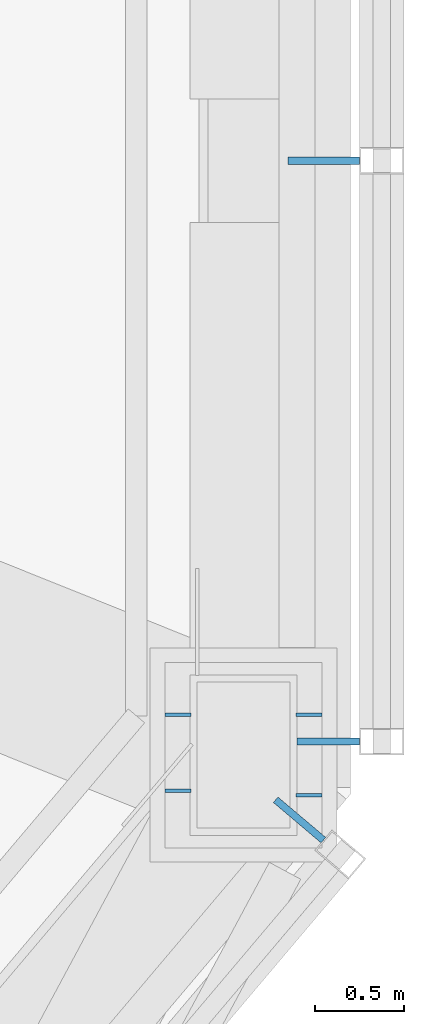
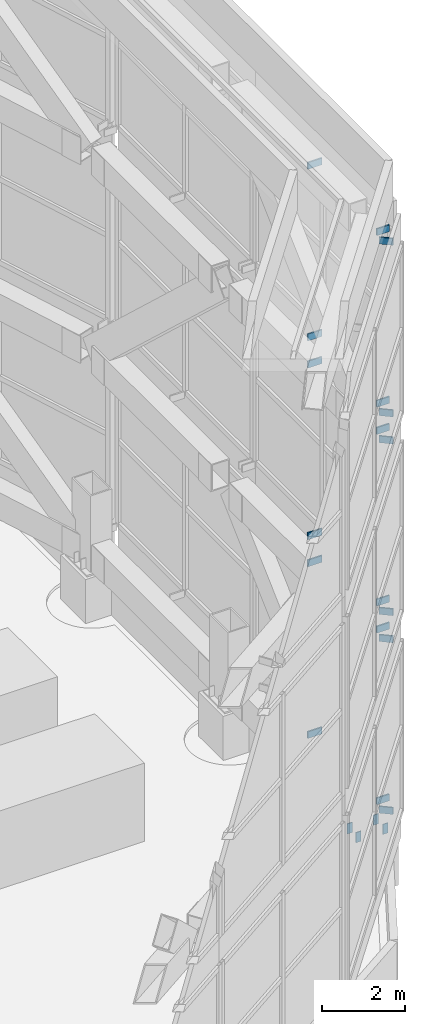
# One storey, part 36 of 46: 22 discrete accessories.
"""IFC4 building model written with IfcOpenShell, lengths in metres."""

from ifc_helpers import new_model, si_unit, direction, frame, origin, origin_2d, place, context, subcontext, project, spatial, rectangle, extrude, material, layer, layer_set, type_object, element, save


model = new_model("IFC4")

# Units and contexts
model_context = context("Model", 3, precision=1e-05, world=origin(), true_north=direction((0.0, 1.0)))
body_context = subcontext(model_context, "Body", "Model", "MODEL_VIEW")
ifc_project = project(units=[si_unit("LENGTHUNIT", "METRE"), si_unit("AREAUNIT", "SQUARE_METRE"), si_unit("VOLUMEUNIT", "CUBIC_METRE"), si_unit("PLANEANGLEUNIT", "RADIAN"), si_unit("MASSUNIT", "GRAM", prefix="KILO")], contexts=[model_context])

# Site, building, storey
site_placement = place(None, origin())
site = spatial("IfcSite", under=ifc_project, at=site_placement, CompositionType="ELEMENT")
building_placement = place(site_placement, origin())
building = spatial("IfcBuilding", under=site, at=building_placement, Name="Vanh Sen Convention Tower", CompositionType="ELEMENT")
storey_placement = place(building_placement, frame((0.0, 0.0, 305.0)))
storey = spatial("IfcBuildingStorey", under=building, at=storey_placement, Name="Roof level", CompositionType="ELEMENT", Elevation=305.0)

# Discrete accessories
ifc_material_1 = material(Name="Steel S355", Category="steel")
ifc_layer = layer(ifc_material_1, 0.02001953125)
ifc_layer_set = layer_set([ifc_layer], Name="Steel S355")
discrete_accessory_type_1 = type_object("IfcDiscreteAccessoryType", Name="Crown base plate stiffener 140 x 300 x 20", PredefinedType="USERDEFINED", material=ifc_layer_set)
for number, where, z_axis, x_axis, name in (
    (1, (18.4326171875, -7.32177734375, 1.34521484375), (0.0, 0.0, 1.0), (-1.0, 0.0, 0.0), "STIFFENER crown column 01 rib 1"),
    (2, (18.4326171875, -7.74658203125, 1.34521484375), (0.0, 0.0, 1.0), (-1.0, 0.0, 0.0), "STIFFENER crown column 01 rib 2"),
    (3, (19.16748046875, -7.32177734375, 1.34521484375), (0.0, 0.0, 1.0), (-1.0, 0.0, 0.0), "STIFFENER crown column 01 rib 3"),
    (4, (19.16748046875, -7.771728515625, 1.34521484375), (0.0, 0.0, 1.0), (-1.0, 0.0, 0.0), "STIFFENER crown column 01 rib 4"),
):
    element("IfcDiscreteAccessory", number, at=place(storey_placement, frame(where, z_axis=z_axis, x_axis=x_axis)), inside=storey, type_object=discrete_accessory_type_1, Name=name, ObjectType="STIFFENER", PredefinedType="USERDEFINED", context=body_context, shape_type="SweptSolid", body=[
        extrude(rectangle(XDim=0.14501953125, YDim=0.02001953125, at=origin_2d()), origin(), (0.0, 0.0, 1.0), 0.300048828125),
    ])
ifc_material_2 = material(Name="Steel S355", Category="steel")
discrete_accessory_type_2 = type_object("IfcDiscreteAccessoryType", Name="Crown screen bracket 40 x 200", PredefinedType="BRACKET", material=ifc_material_2)
discrete_accessory_1_placement = place(storey_placement, frame((19.27490234375, -7.4716796875, 2.044921875), z_axis=(0.0, 0.0, 1.0), x_axis=(1.0, 0.0, 0.0)))
element("IfcDiscreteAccessory", 5, at=discrete_accessory_1_placement, inside=storey, type_object=discrete_accessory_type_2, Name="Crown screen bracket 01-1-1", PredefinedType="BRACKET", context=body_context, shape_type="SweptSolid", body=[
    extrude(rectangle(XDim=0.35009765625, YDim=0.0400390625, at=origin_2d()), origin(), (0.0, 0.0, 1.0), 0.199951171875),
])
discrete_accessory_2_placement = place(storey_placement, frame((19.25, -4.215087890625, 2.044921875), z_axis=(0.0, 0.0, 1.0), x_axis=(1.0, 0.0, 0.0)))
element("IfcDiscreteAccessory", 6, at=discrete_accessory_2_placement, inside=storey, type_object=discrete_accessory_type_2, Name="Crown screen bracket 01-1-2", PredefinedType="BRACKET", context=body_context, shape_type="SweptSolid", body=[
    extrude(rectangle(XDim=0.39990234375, YDim=0.0400390625, at=origin_2d()), origin(), (0.0, 0.0, 1.0), 0.199951171875),
])
discrete_accessory_3_placement = place(storey_placement, frame((19.27490234375, -7.4716796875, 7.11328125), z_axis=(0.0, 0.0, 1.0), x_axis=(1.0, 0.0, 0.0)))
element("IfcDiscreteAccessory", 7, at=discrete_accessory_3_placement, inside=storey, type_object=discrete_accessory_type_2, Name="Crown screen bracket 01-1-4", PredefinedType="BRACKET", context=body_context, shape_type="SweptSolid", body=[
    extrude(rectangle(XDim=0.35009765625, YDim=0.0400390625, at=origin_2d()), origin(), (0.0, 0.0, 1.0), 0.199951171875),
])
discrete_accessory_4_placement = place(storey_placement, frame((19.25, -4.215087890625, 7.11328125), z_axis=(0.0, 0.0, 1.0), x_axis=(1.0, 0.0, 0.0)))
element("IfcDiscreteAccessory", 8, at=discrete_accessory_4_placement, inside=storey, type_object=discrete_accessory_type_2, Name="Crown screen bracket 01-1-5", PredefinedType="BRACKET", context=body_context, shape_type="SweptSolid", body=[
    extrude(rectangle(XDim=0.39990234375, YDim=0.0400390625, at=origin_2d()), origin(), (0.0, 0.0, 1.0), 0.199951171875),
])
discrete_accessory_5_placement = place(storey_placement, frame((19.27490234375, -7.4716796875, 7.9130859375), z_axis=(0.0, 0.0, 1.0), x_axis=(1.0, 0.0, 0.0)))
element("IfcDiscreteAccessory", 9, at=discrete_accessory_5_placement, inside=storey, type_object=discrete_accessory_type_2, Name="Crown screen bracket 01-2-1", PredefinedType="BRACKET", context=body_context, shape_type="SweptSolid", body=[
    extrude(rectangle(XDim=0.35009765625, YDim=0.0400390625, at=origin_2d()), origin(), (0.0, 0.0, 1.0), 0.199951171875),
])
discrete_accessory_6_placement = place(storey_placement, frame((19.25, -4.215087890625, 7.9130859375), z_axis=(0.0, 0.0, 1.0), x_axis=(1.0, 0.0, 0.0)))
element("IfcDiscreteAccessory", 10, at=discrete_accessory_6_placement, inside=storey, type_object=discrete_accessory_type_2, Name="Crown screen bracket 01-2-2", PredefinedType="BRACKET", context=body_context, shape_type="SweptSolid", body=[
    extrude(rectangle(XDim=0.39990234375, YDim=0.0400390625, at=origin_2d()), origin(), (0.0, 0.0, 1.0), 0.199951171875),
])
discrete_accessory_7_placement = place(storey_placement, frame((19.27490234375, -7.4716796875, 12.98193359375), z_axis=(0.0, 0.0, 1.0), x_axis=(1.0, 0.0, 0.0)))
element("IfcDiscreteAccessory", 11, at=discrete_accessory_7_placement, inside=storey, type_object=discrete_accessory_type_2, Name="Crown screen bracket 01-2-4", PredefinedType="BRACKET", context=body_context, shape_type="SweptSolid", body=[
    extrude(rectangle(XDim=0.35009765625, YDim=0.0400390625, at=origin_2d()), origin(), (0.0, 0.0, 1.0), 0.199951171875),
])
discrete_accessory_8_placement = place(storey_placement, frame((19.25, -4.215087890625, 12.98193359375), z_axis=(0.0, 0.0, 1.0), x_axis=(1.0, 0.0, 0.0)))
element("IfcDiscreteAccessory", 12, at=discrete_accessory_8_placement, inside=storey, type_object=discrete_accessory_type_2, Name="Crown screen bracket 01-2-5", PredefinedType="BRACKET", context=body_context, shape_type="SweptSolid", body=[
    extrude(rectangle(XDim=0.39990234375, YDim=0.0400390625, at=origin_2d()), origin(), (0.0, 0.0, 1.0), 0.199951171875),
])
discrete_accessory_9_placement = place(storey_placement, frame((19.27490234375, -7.4716796875, 13.78173828125), z_axis=(0.0, 0.0, 1.0), x_axis=(1.0, 0.0, 0.0)))
element("IfcDiscreteAccessory", 13, at=discrete_accessory_9_placement, inside=storey, type_object=discrete_accessory_type_2, Name="Crown screen bracket 01-3-1", PredefinedType="BRACKET", context=body_context, shape_type="SweptSolid", body=[
    extrude(rectangle(XDim=0.35009765625, YDim=0.0400390625, at=origin_2d()), origin(), (0.0, 0.0, 1.0), 0.199951171875),
])
discrete_accessory_10_placement = place(storey_placement, frame((19.25, -4.215087890625, 13.78173828125), z_axis=(0.0, 0.0, 1.0), x_axis=(1.0, 0.0, 0.0)))
element("IfcDiscreteAccessory", 14, at=discrete_accessory_10_placement, inside=storey, type_object=discrete_accessory_type_2, Name="Crown screen bracket 01-3-2", PredefinedType="BRACKET", context=body_context, shape_type="SweptSolid", body=[
    extrude(rectangle(XDim=0.39990234375, YDim=0.0400390625, at=origin_2d()), origin(), (0.0, 0.0, 1.0), 0.199951171875),
])
discrete_accessory_11_placement = place(storey_placement, frame((19.27490234375, -7.4716796875, 18.85009765625), z_axis=(0.0, 0.0, 1.0), x_axis=(1.0, 0.0, 0.0)))
element("IfcDiscreteAccessory", 15, at=discrete_accessory_11_placement, inside=storey, type_object=discrete_accessory_type_2, Name="Crown screen bracket 01-3-4", PredefinedType="BRACKET", context=body_context, shape_type="SweptSolid", body=[
    extrude(rectangle(XDim=0.35009765625, YDim=0.0400390625, at=origin_2d()), origin(), (0.0, 0.0, 1.0), 0.199951171875),
])
discrete_accessory_12_placement = place(storey_placement, frame((19.25, -4.215087890625, 18.85009765625), z_axis=(0.0, 0.0, 1.0), x_axis=(1.0, 0.0, 0.0)))
element("IfcDiscreteAccessory", 16, at=discrete_accessory_12_placement, inside=storey, type_object=discrete_accessory_type_2, Name="Crown screen bracket 01-3-5", PredefinedType="BRACKET", context=body_context, shape_type="SweptSolid", body=[
    extrude(rectangle(XDim=0.39990234375, YDim=0.0400390625, at=origin_2d()), origin(), (0.0, 0.0, 1.0), 0.199951171875),
])
for number, where, z_axis, x_axis, name in (
    (17, (19.1142578125, -7.91064453125, 2.044921875), (0.0, 0.0, 1.0), (0.763534609632, -0.64576690833, 0.0), "Crown screen bracket 18-1-3"),
    (18, (19.1142578125, -7.91064453125, 7.11328125), (0.0, 0.0, 1.0), (0.763534609632, -0.64576690833, 0.0), "Crown screen bracket 18-1-6"),
    (19, (19.1142578125, -7.91064453125, 7.9130859375), (0.0, 0.0, 1.0), (0.763534609632, -0.64576690833, 0.0), "Crown screen bracket 18-2-3"),
    (20, (19.1142578125, -7.91064453125, 12.98193359375), (0.0, 0.0, 1.0), (0.763534609632, -0.64576690833, 0.0), "Crown screen bracket 18-2-6"),
    (21, (19.1142578125, -7.91064453125, 13.78173828125), (0.0, 0.0, 1.0), (0.763534609632, -0.64576690833, 0.0), "Crown screen bracket 18-3-3"),
    (22, (19.1142578125, -7.91064453125, 18.85009765625), (0.0, 0.0, 1.0), (0.763534609632, -0.64576690833, 0.0), "Crown screen bracket 18-3-6"),
):
    element("IfcDiscreteAccessory", number, at=place(storey_placement, frame(where, z_axis=z_axis, x_axis=x_axis)), inside=storey, type_object=discrete_accessory_type_2, Name=name, PredefinedType="BRACKET", context=body_context, shape_type="SweptSolid", body=[
        extrude(rectangle(XDim=0.35009765625, YDim=0.0400390625, at=origin_2d()), origin(), (0.0, 0.0, 1.0), 0.199951171875),
    ])

save(model, "model.ifc")
